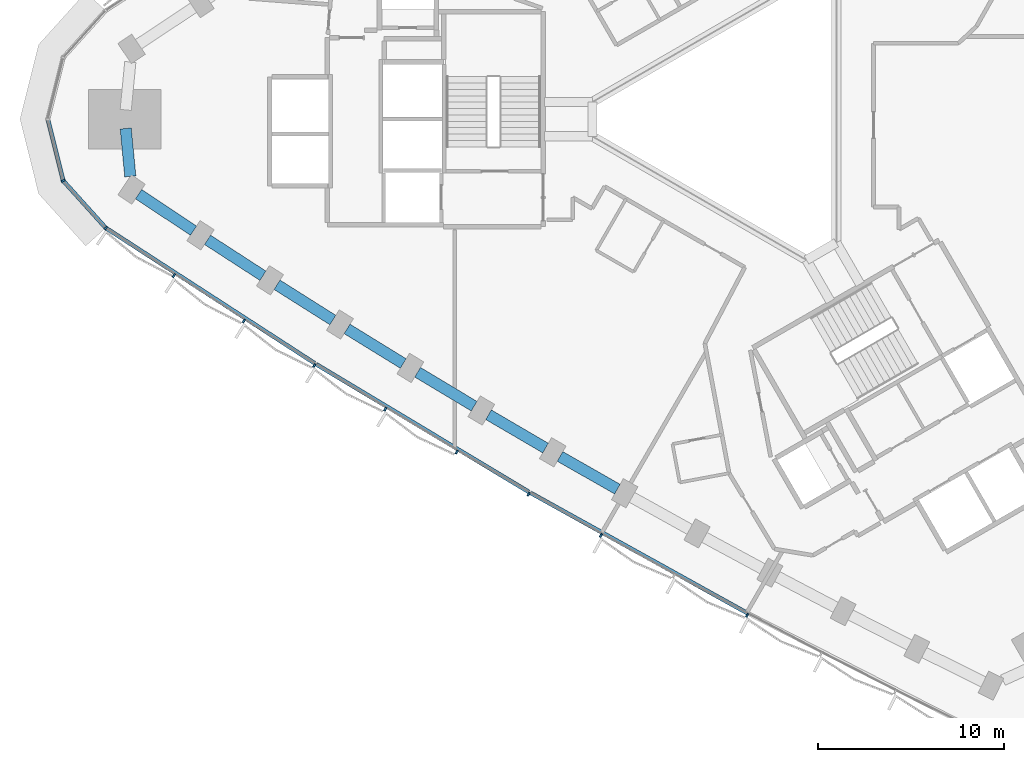
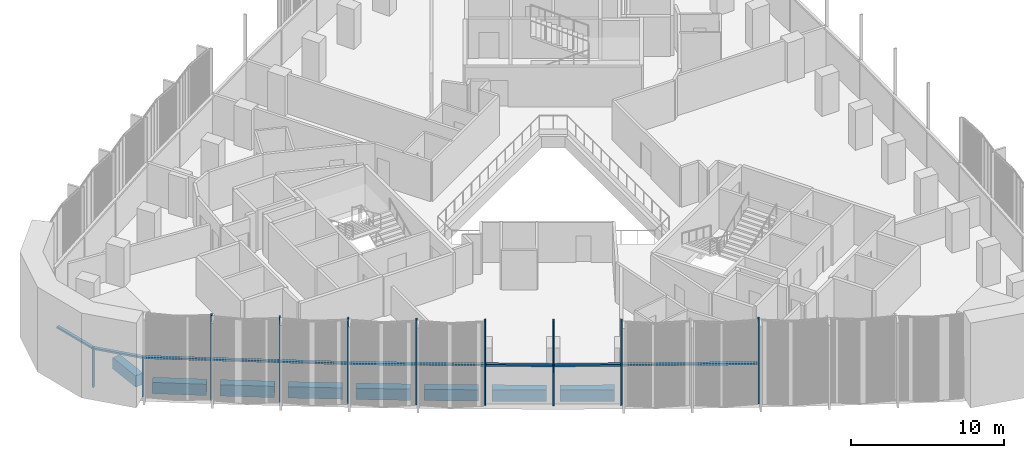
# One storey, part 2 of 15: 15 members, 8 beams, 2 elements without a shape of their own.
"""IFC4 building model written with IfcOpenShell, lengths in metres."""

from ifc_helpers import new_model, si_unit, direction, frame, origin, origin_2d, place, context, subcontext, project, spatial, rectangle, extrude, material, material_profile, profile_set, type_object, element, aggregate, save


model = new_model("IFC4")

# Units and contexts
model_context = context("Model", 3, precision=1e-05, world=origin(), true_north=direction((0.0, 1.0)))
body_context = subcontext(model_context, "Body", "Model", "MODEL_VIEW")
ifc_project = project(units=[si_unit("LENGTHUNIT", "METRE"), si_unit("AREAUNIT", "SQUARE_METRE"), si_unit("VOLUMEUNIT", "CUBIC_METRE"), si_unit("PLANEANGLEUNIT", "RADIAN"), si_unit("MASSUNIT", "GRAM", prefix="KILO")], contexts=[model_context])

# Site, building, storey
site_placement = place(None, origin())
site = spatial("IfcSite", under=ifc_project, at=site_placement, CompositionType="ELEMENT")
building_placement = place(site_placement, origin())
building = spatial("IfcBuilding", under=site, at=building_placement, Name="Tamra Quay Hotel Tower", CompositionType="ELEMENT")
storey_placement = place(building_placement, frame((0.0, 0.0, 101.0)))
storey = spatial("IfcBuildingStorey", under=building, at=storey_placement, Name="L24", CompositionType="ELEMENT", Elevation=101.0)

# Curtain wall, member
ifc_material_1 = material(Name="Aluminium 6063 anodised dark grey", Category="aluminium")
curtain_wall_type_1 = type_object("IfcCurtainWallType", Name="CW2 CURTAIN WALL", PredefinedType="NOTDEFINED", material=ifc_material_1)
curtain_wall_1_placement = place(storey_placement, origin())
curtain_wall_1 = element("IfcCurtainWall", 1, at=curtain_wall_1_placement, inside=storey, type_object=curtain_wall_type_1, Name="CW2 north-west face L24", PredefinedType="NOTDEFINED")
ifc_material_profile_1 = material_profile(ifc_material_1, rectangle(XDim=0.219970703125, YDim=0.10009765625, at=origin_2d()), Name="MULLION 100X220")
ifc_profile_set_1 = profile_set([ifc_material_profile_1], Name="Aluminium 6063 anodised dark grey")
member_type_1 = type_object("IfcMemberType", Name="MULLION CW2 Z2", PredefinedType="MULLION", material=ifc_profile_set_1)
member_1_placement = place(storey_placement, frame((-36.623046875, -3.308349609375, 0.0), z_axis=(0.0, 0.0, 1.0), x_axis=(-0.882543846683, -0.47023011248, 0.0)))
member_1 = element("IfcMember", 2, at=member_1_placement, type_object=member_type_1, Name="CW2 mullion L24.NW.16", PredefinedType="MULLION", context=body_context, shape_type="SweptSolid", body=[
    extrude(rectangle(XDim=0.219970703125, YDim=0.10009765625, at=origin_2d()), origin(), (0.0, 0.0, 1.0), 3.175048828125),
])

# Curtain wall, members
curtain_wall_type_2 = type_object("IfcCurtainWallType", Name="CW3 CURTAIN WALL", PredefinedType="NOTDEFINED", material=ifc_material_1)
curtain_wall_2_placement = place(storey_placement, origin())
curtain_wall_2 = element("IfcCurtainWall", 3, at=curtain_wall_2_placement, inside=storey, type_object=curtain_wall_type_2, Name="CW3 south-west face L24", PredefinedType="NOTDEFINED")
ifc_material_profile_2 = material_profile(ifc_material_1, rectangle(XDim=0.219970703125, YDim=0.10009765625, at=origin_2d()), Name="MULLION 100X220")
ifc_profile_set_2 = profile_set([ifc_material_profile_2], Name="Aluminium 6063 anodised dark grey")
member_type_2 = type_object("IfcMemberType", Name="MULLION CW3 Z2", PredefinedType="MULLION", material=ifc_profile_set_2)
member_2_placement = place(storey_placement, frame((-34.338134765625, -5.839599609375, 0.0), z_axis=(0.0, 0.0, 1.0), x_axis=(-0.652886835472, -0.757455464081, 0.0)))
member_2 = element("IfcMember", 4, at=member_2_placement, type_object=member_type_2, Name="CW3 mullion L24.SW.1", PredefinedType="MULLION", context=body_context, shape_type="SweptSolid", body=[
    extrude(rectangle(XDim=0.219970703125, YDim=0.10009765625, at=origin_2d()), origin(), (0.0, 0.0, 1.0), 3.175048828125),
])
member_3_placement = place(storey_placement, frame((-30.6728515625, -8.40625, 0.0), z_axis=(0.0, 0.0, 1.0), x_axis=(-0.548547394531, -0.836119462729, 0.0)))
member_3 = element("IfcMember", 5, at=member_3_placement, type_object=member_type_2, Name="CW3 mullion L24.SW.2", PredefinedType="MULLION", context=body_context, shape_type="SweptSolid", body=[
    extrude(rectangle(XDim=0.219970703125, YDim=0.10009765625, at=origin_2d()), origin(), (0.0, 0.0, 1.0), 6.77490234375),
])
member_4_placement = place(storey_placement, frame((-26.91796875, -10.83935546875, 0.0), z_axis=(0.0, 0.0, 1.0), x_axis=(-0.538998516205, -0.842306713453, 0.0)))
member_4 = element("IfcMember", 6, at=member_4_placement, type_object=member_type_2, Name="CW3 mullion L24.SW.3", PredefinedType="MULLION", context=body_context, shape_type="SweptSolid", body=[
    extrude(rectangle(XDim=0.219970703125, YDim=0.10009765625, at=origin_2d()), origin(), (0.0, 0.0, 1.0), 6.77490234375),
])
member_5_placement = place(storey_placement, frame((-23.13525390625, -13.2294921875, 0.0), z_axis=(0.0, 0.0, 1.0), x_axis=(-0.5293643356, -0.848394601701, 0.0)))
member_5 = element("IfcMember", 7, at=member_5_placement, type_object=member_type_2, Name="CW3 mullion L24.SW.4", PredefinedType="MULLION", context=body_context, shape_type="SweptSolid", body=[
    extrude(rectangle(XDim=0.219970703125, YDim=0.10009765625, at=origin_2d()), origin(), (0.0, 0.0, 1.0), 6.77490234375),
])
member_6_placement = place(storey_placement, frame((-19.32568359375, -15.576416015625, 0.0), z_axis=(0.0, 0.0, 1.0), x_axis=(-0.519650021275, -0.854379222236, 0.0)))
member_6 = element("IfcMember", 8, at=member_6_placement, type_object=member_type_2, Name="CW3 mullion L24.SW.5", PredefinedType="MULLION", context=body_context, shape_type="SweptSolid", body=[
    extrude(rectangle(XDim=0.219970703125, YDim=0.10009765625, at=origin_2d()), origin(), (0.0, 0.0, 1.0), 6.77490234375),
])
member_7_placement = place(storey_placement, frame((-15.489501953125, -17.8798828125, 0.0), z_axis=(0.0, 0.0, 1.0), x_axis=(-0.509860421596, -0.860257142075, 0.0)))
member_7 = element("IfcMember", 9, at=member_7_placement, type_object=member_type_2, Name="CW3 mullion L24.SW.6", PredefinedType="MULLION", context=body_context, shape_type="SweptSolid", body=[
    extrude(rectangle(XDim=0.219970703125, YDim=0.10009765625, at=origin_2d()), origin(), (0.0, 0.0, 1.0), 6.77490234375),
])
member_8_placement = place(storey_placement, frame((-11.62744140625, -20.13916015625, 0.0), z_axis=(0.0, 0.0, 1.0), x_axis=(-0.5, -0.866025403784, 0.0)))
member_8 = element("IfcMember", 10, at=member_8_placement, type_object=member_type_2, Name="CW3 mullion L24.SW.7", PredefinedType="MULLION", context=body_context, shape_type="SweptSolid", body=[
    extrude(rectangle(XDim=0.219970703125, YDim=0.10009765625, at=origin_2d()), origin(), (0.0, 0.0, 1.0), 6.77490234375),
])
member_9_placement = place(storey_placement, frame((-7.739501953125, -22.354248046875, 0.0), z_axis=(0.0, 0.0, 1.0), x_axis=(-0.490074328026, -0.871680648523, 0.0)))
member_9 = element("IfcMember", 11, at=member_9_placement, type_object=member_type_2, Name="CW3 mullion L24.SW.8", PredefinedType="MULLION", context=body_context, shape_type="SweptSolid", body=[
    extrude(rectangle(XDim=0.219970703125, YDim=0.10009765625, at=origin_2d()), origin(), (0.0, 0.0, 1.0), 6.77490234375),
])
member_10_placement = place(storey_placement, frame((0.110595703125, -26.650634765625, 0.0), z_axis=(0.0, 0.0, 1.0), x_axis=(-0.470049109706, -0.882640263337, 0.0)))
member_10 = element("IfcMember", 12, at=member_10_placement, type_object=member_type_2, Name="CW3 mullion L24.SW.10", PredefinedType="MULLION", context=body_context, shape_type="SweptSolid", body=[
    extrude(rectangle(XDim=0.219970703125, YDim=0.10009765625, at=origin_2d()), origin(), (0.0, 0.0, 1.0), 6.77490234375),
])

# Beams
ifc_material_2 = material(Name="Concrete M60", Category="concrete")
ifc_material_profile_3 = material_profile(ifc_material_2, rectangle(XDim=0.60009765625, YDim=0.89990234375, at=origin_2d()), Name="SPANDREL BEAM RC 600x900")
ifc_profile_set_3 = profile_set([ifc_material_profile_3], Name="Concrete M60")
beam_type = type_object("IfcBeamType", Name="SPANDREL BEAM RC 600x900", PredefinedType="SPANDREL", material=ifc_profile_set_3)
beam_1_placement = place(storey_placement, frame((-33.26611328125, -0.497802734375, -0.875), z_axis=(0.09550001445, -0.995429428558, 0.0), x_axis=(0.995429428558, 0.09550001445, 0.0)))
element("IfcBeam", 13, at=beam_1_placement, inside=storey, type_object=beam_type, Name="BM-SP2-027-L24", PredefinedType="SPANDREL", context=body_context, shape_type="SweptSolid", body=[
    extrude(rectangle(XDim=0.60009765625, YDim=0.89990234375, at=origin_2d()), origin(), (0.0, 0.0, 1.0), 2.58447265625),
])
beam_2_placement = place(storey_placement, frame((-32.57666015625, -4.025390625, -0.875), z_axis=(0.832981511469, -0.55330082374, 0.0), x_axis=(0.55330082374, 0.832981511469, 0.0)))
element("IfcBeam", 14, at=beam_2_placement, inside=storey, type_object=beam_type, Name="BM-SP2-028-L24", PredefinedType="SPANDREL", context=body_context, shape_type="SweptSolid", body=[
    extrude(rectangle(XDim=0.60009765625, YDim=0.89990234375, at=origin_2d()), origin(), (0.0, 0.0, 1.0), 3.544921875),
])
beam_3_placement = place(storey_placement, frame((-28.87109375, -6.480712890625, -0.875), z_axis=(0.839237385713, -0.543765216266, 0.0), x_axis=(0.543765216266, 0.839237385713, 0.0)))
element("IfcBeam", 15, at=beam_3_placement, inside=storey, type_object=beam_type, Name="BM-SP2-029-L24", PredefinedType="SPANDREL", context=body_context, shape_type="SweptSolid", body=[
    extrude(rectangle(XDim=0.60009765625, YDim=0.89990234375, at=origin_2d()), origin(), (0.0, 0.0, 1.0), 3.544677734375),
])
for number, where, z_axis, x_axis, name in (
    (16, (-25.13818359375, -8.893310546875, -0.875), (0.845333394052, -0.534239134566, 0.0), (0.534239134566, 0.845333394052, 0.0), "BM-SP2-030-L24"),
    (17, (-21.3779296875, -11.263427734375, -0.875), (0.851393361846, -0.524527733685, 0.0), (0.524527733685, 0.851393361846, 0.0), "BM-SP2-031-L24"),
):
    element("IfcBeam", number, at=place(storey_placement, frame(where, z_axis=z_axis, x_axis=x_axis)), inside=storey, type_object=beam_type, Name=name, PredefinedType="SPANDREL", context=body_context, shape_type="SweptSolid", body=[
        extrude(rectangle(XDim=0.60009765625, YDim=0.89990234375, at=origin_2d()), origin(), (0.0, 0.0, 1.0), 3.544921875),
    ])
for number, where, z_axis, x_axis, name in (
    (18, (-17.5908203125, -13.59033203125, -0.875), (0.857286231776, -0.514840088578, 0.0), (0.514840088578, 0.857286231776, 0.0), "BM-SP2-032-L24"),
    (19, (-13.777587890625, -15.8740234375, -0.875), (0.863128698129, -0.504984010109, 0.0), (0.504984010109, 0.863128698129, 0.0), "BM-SP2-033-L24"),
):
    element("IfcBeam", number, at=place(storey_placement, frame(where, z_axis=z_axis, x_axis=x_axis)), inside=storey, type_object=beam_type, Name=name, PredefinedType="SPANDREL", context=body_context, shape_type="SweptSolid", body=[
        extrude(rectangle(XDim=0.60009765625, YDim=0.89990234375, at=origin_2d()), origin(), (0.0, 0.0, 1.0), 3.544677734375),
    ])
beam_4_placement = place(storey_placement, frame((-9.9384765625, -18.114013671875, -0.875), z_axis=(0.868869699181, -0.495040852704, 0.0), x_axis=(0.495040852704, 0.868869699181, 0.0)))
element("IfcBeam", 20, at=beam_4_placement, inside=storey, type_object=beam_type, Name="BM-SP2-034-L24", PredefinedType="SPANDREL", context=body_context, shape_type="SweptSolid", body=[
    extrude(rectangle(XDim=0.60009765625, YDim=0.89990234375, at=origin_2d()), origin(), (0.0, 0.0, 1.0), 3.544921875),
])

# Member
ifc_material_profile_4 = material_profile(ifc_material_1, rectangle(XDim=0.219970703125, YDim=0.139892578125, at=origin_2d()), Name="TRANSOM 220X140")
ifc_profile_set_4 = profile_set([ifc_material_profile_4], Name="Aluminium 6063 anodised dark grey")
member_type_3 = type_object("IfcMemberType", Name="TRANSOM CW2 Z2", PredefinedType="USERDEFINED", material=ifc_profile_set_4)
member_11_placement = place(storey_placement, frame((-37.437255859375, -0.048583984375, 3.10498046875), z_axis=(0.242292652285, -0.970203211007, 0.0), x_axis=(0.970203211007, 0.242292652285, 0.0)))
member_11 = element("IfcMember", 21, at=member_11_placement, type_object=member_type_3, Name="CW2 transom L24.NW.15", ObjectType="TRANSOM", PredefinedType="USERDEFINED", context=body_context, shape_type="SweptSolid", body=[
    extrude(rectangle(XDim=0.219970703125, YDim=0.139892578125, at=origin_2d()), origin(), (0.0, 0.0, 1.0), 3.31005859375),
])

member_12_placement = place(storey_placement, frame((-36.589599609375, -3.345458984375, 3.10498046875), z_axis=(0.670080516261, -0.742288422196, 0.0), x_axis=(0.742288422196, 0.670080516261, 0.0)))
member_12 = element("IfcMember", 22, at=member_12_placement, type_object=member_type_3, Name="CW2 transom L24.NW.16", ObjectType="TRANSOM", PredefinedType="USERDEFINED", context=body_context, shape_type="SweptSolid", body=[
    extrude(rectangle(XDim=0.219970703125, YDim=0.139892578125, at=origin_2d()), origin(), (0.0, 0.0, 1.0), 3.31005859375),
])

aggregate(curtain_wall_1, [member_11, member_1, member_12])

ifc_material_profile_5 = material_profile(ifc_material_1, rectangle(XDim=0.219970703125, YDim=0.139892578125, at=origin_2d()), Name="TRANSOM 220X140")
ifc_profile_set_5 = profile_set([ifc_material_profile_5], Name="Aluminium 6063 anodised dark grey")
member_type_4 = type_object("IfcMemberType", Name="TRANSOM CW3 Z2", PredefinedType="USERDEFINED", material=ifc_profile_set_5)
member_13_placement = place(storey_placement, frame((-34.29638671875, -5.867431640625, 3.10498046875), z_axis=(0.8392271939, -0.543780945804, 0.0), x_axis=(0.543780945804, 0.8392271939, 0.0)))
member_13 = element("IfcMember", 23, at=member_13_placement, type_object=member_type_4, Name="CW3 transom L24.SW.1", ObjectType="TRANSOM", PredefinedType="USERDEFINED", context=body_context, shape_type="SweptSolid", body=[
    extrude(rectangle(XDim=0.219970703125, YDim=0.139892578125, at=origin_2d()), origin(), (0.0, 0.0, 1.0), 13.318115234375),
])

member_14_placement = place(storey_placement, frame((-23.034423828125, -13.16259765625, 3.10498046875), z_axis=(0.857332765871, -0.514762594372, 0.0), x_axis=(0.514762594372, 0.857332765871, 0.0)))
member_14 = element("IfcMember", 24, at=member_14_placement, type_object=member_type_4, Name="CW3 transom L24.SW.4", ObjectType="TRANSOM", PredefinedType="USERDEFINED", context=body_context, shape_type="SweptSolid", body=[
    extrude(rectangle(XDim=0.219970703125, YDim=0.139892578125, at=origin_2d()), origin(), (0.0, 0.0, 1.0), 13.319091796875),
])

member_15_placement = place(storey_placement, frame((-11.529052734375, -20.068603515625, 3.10498046875), z_axis=(0.874459721019, -0.485098130605, 0.0), x_axis=(0.485098130605, 0.874459721019, 0.0)))
member_15 = element("IfcMember", 25, at=member_15_placement, type_object=member_type_4, Name="CW3 transom L24.SW.7", ObjectType="TRANSOM", PredefinedType="USERDEFINED", context=body_context, shape_type="SweptSolid", body=[
    extrude(rectangle(XDim=0.219970703125, YDim=0.139892578125, at=origin_2d()), origin(), (0.0, 0.0, 1.0), 13.3193359375),
])

aggregate(curtain_wall_2, [member_2, member_13, member_3, member_4, member_5, member_14, member_6, member_7, member_8, member_15, member_9, member_10])

save(model, "model.ifc")
